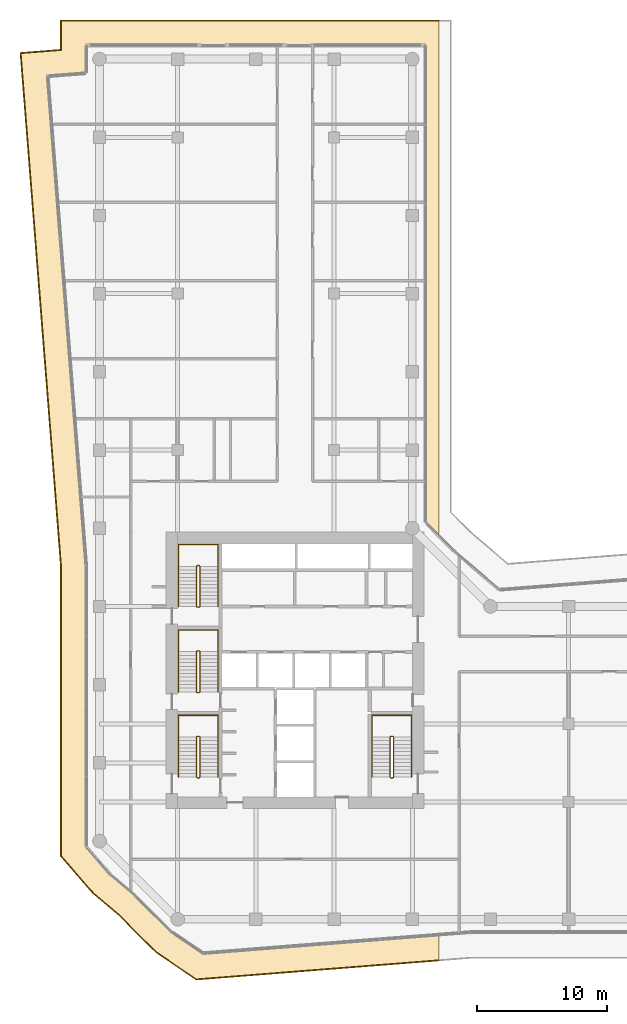
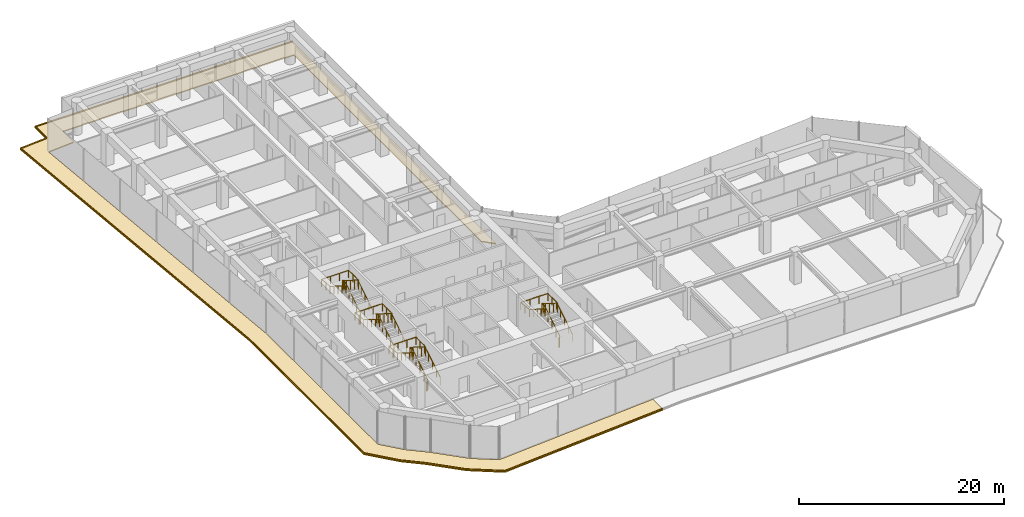
# One storey, part 27 of 28: 8 railings, 2 coverings.
"""IFC4 building model written with IfcOpenShell, lengths in metres."""

import ifcopenshell
import ifcopenshell.guid

model = None  # the IFC model being written
_history = None  # IfcOwnerHistory: only IFC2X3 demands one
_inside = {}  # id of a spatial element -> (the spatial element, [elements in it])
_under = {}  # id of a project, library or spatial element -> (it, [spatial elements below it])
_declared = {}  # id of a project -> (the project, [libraries it declares])
_typed = {}  # id of a type object -> (the type object, [elements of that type])
_made_of = {}  # id of a material, layer set ... -> (it, [elements and type objects made of it])


def new_model(schema):
    """Start an empty IFC model of exactly this schema.

    Asked for "IFC4X3", IfcOpenShell would pick the latest addendum, in which some entities
    have other attributes; the version numbers below select the first issue.
    IFC2X3 requires an IfcOwnerHistory on every rooted entity: one is made here for all.
    """
    global model, _history
    if schema == "IFC4X3":
        model = ifcopenshell.file(schema_version=(4, 3, 0, 0))
    else:
        model = ifcopenshell.file(schema=schema)
    _inside.clear()
    _under.clear()
    _declared.clear()
    _typed.clear()
    _made_of.clear()
    _history = None
    if model.schema == "IFC2X3":
        org = make("IfcOrganization", Name="unknown")
        user = make(
            "IfcPersonAndOrganization",
            ThePerson=make("IfcPerson", FamilyName="unknown"),
            TheOrganization=org,
        )
        app = make(
            "IfcApplication",
            ApplicationDeveloper=org,
            Version="unknown",
            ApplicationFullName="unknown",
            ApplicationIdentifier="unknown",
        )
        _history = make(
            "IfcOwnerHistory",
            OwningUser=user,
            OwningApplication=app,
            ChangeAction="ADDED",
            CreationDate=0,
        )
    return model


def make(cls, **values):
    """One entity of the class cls with the attributes given. An attribute that is None is left unset."""
    return model.create_entity(
        cls, **{name: value for name, value in values.items() if value is not None}
    )


def rooted(cls, **values):
    """An entity with a GlobalId (a new one), such as an element, a storey or a relation."""
    return make(cls, GlobalId=ifcopenshell.guid.new(), OwnerHistory=_history, **values)


def si_unit(unit_type, name, prefix=None):
    """IfcSIUnit, for example si_unit("LENGTHUNIT", "METRE", prefix="MILLI")."""
    return make("IfcSIUnit", UnitType=unit_type, Prefix=prefix, Name=name)


def assignment(units):
    """IfcUnitAssignment: the units of a project."""
    return None if units is None else make("IfcUnitAssignment", Units=units)


def point(xyz):
    """IfcCartesianPoint."""
    return None if xyz is None else make("IfcCartesianPoint", Coordinates=xyz)


def direction(xyz):
    """IfcDirection."""
    return None if xyz is None else make("IfcDirection", DirectionRatios=xyz)


def frame(location, z_axis=None, x_axis=None):
    """IfcAxis2Placement3D, a coordinate frame: its origin and axes. An axis left out is left unset."""
    return make(
        "IfcAxis2Placement3D",
        Location=point(location),
        Axis=direction(z_axis),
        RefDirection=direction(x_axis),
    )


def frame_2d(location, x_axis=None):
    """IfcAxis2Placement2D, a coordinate frame in the plane: its origin and x axis."""
    return make(
        "IfcAxis2Placement2D", Location=point(location), RefDirection=direction(x_axis)
    )


def origin():
    """The frame at (0, 0, 0) with its axes left unset."""
    return frame((0.0, 0.0, 0.0))


def origin_2d():
    """The frame at (0, 0) in the plane with its x axis left unset."""
    return frame_2d((0.0, 0.0))


def place(relative_to, where):
    """IfcLocalPlacement: puts the frame where relative to a parent placement (None: the world)."""
    return make(
        "IfcLocalPlacement", PlacementRelTo=relative_to, RelativePlacement=where
    )


def context(
    kind, dimensions, precision=None, world=None, true_north=None, identifier=None
):
    """IfcGeometricRepresentationContext, for example the 3D "Model" context."""
    return make(
        "IfcGeometricRepresentationContext",
        ContextIdentifier=identifier,
        ContextType=kind,
        CoordinateSpaceDimension=dimensions,
        Precision=precision,
        WorldCoordinateSystem=world,
        TrueNorth=true_north,
    )


def subcontext(parent, identifier, kind, view, scale=None):
    """IfcGeometricRepresentationSubContext, for example "Body" below "Model"."""
    return make(
        "IfcGeometricRepresentationSubContext",
        ContextIdentifier=identifier,
        ContextType=kind,
        ParentContext=parent,
        TargetScale=scale,
        TargetView=view,
    )


def project(units=None, contexts=None):
    """IfcProject with its units and contexts."""
    return rooted(
        "IfcProject",
        Name="project",
        RepresentationContexts=contexts,
        UnitsInContext=assignment(units),
    )


def spatial(cls, under=None, at=None, **own):
    """A site, building, storey or space (cls), placed at a placement, below another one or the project."""
    s = rooted(cls, ObjectPlacement=at, **own)
    if under is not None:
        _under.setdefault(under.id(), (under, []))[1].append(s)
    return s


def polyline(points):
    """IfcPolyline through the points."""
    return make("IfcPolyline", Points=[point(p) for p in points])


def profile(cls, at=None, kind="AREA", **sizes):
    """A parametric profile (cls). Its sizes go by their IFC names, for example OverallWidth=200.0."""
    return make(cls, ProfileType=kind, Position=at, **sizes)


def circle(**sizes):
    """IfcCircleProfileDef."""
    return profile("IfcCircleProfileDef", **sizes)


def outline(outer, holes=None, kind="AREA"):
    """IfcArbitraryClosedProfileDef: a profile drawn as a closed curve; with holes, ...WithVoids."""
    if holes is None:
        return make("IfcArbitraryClosedProfileDef", ProfileType=kind, OuterCurve=outer)
    return make(
        "IfcArbitraryProfileDefWithVoids",
        ProfileType=kind,
        OuterCurve=outer,
        InnerCurves=holes,
    )


def extrude(swept, where, along, depth):
    """IfcExtrudedAreaSolid: the profile swept, set in the frame where, extruded along a direction by depth."""
    return make(
        "IfcExtrudedAreaSolid",
        SweptArea=swept,
        Position=where,
        ExtrudedDirection=direction(along),
        Depth=depth,
    )


def shape(context_of_items, identifier, shape_type, items):
    """IfcShapeRepresentation: the items that make up one representation, for example the "Body"."""
    return make(
        "IfcShapeRepresentation",
        ContextOfItems=context_of_items,
        RepresentationIdentifier=identifier,
        RepresentationType=shape_type,
        Items=items,
    )


def material(Name=None, Category=None):
    """IfcMaterial."""
    return make("IfcMaterial", Name=Name, Category=Category)


def layer(
    of_material, thickness, ventilated=None, Name=None, Category=None, Priority=None
):
    """IfcMaterialLayer: one layer of a wall or slab, of a material (None: an air gap)."""
    return make(
        "IfcMaterialLayer",
        Material=of_material,
        LayerThickness=thickness,
        IsVentilated=ventilated,
        Name=Name,
        Category=Category,
        Priority=Priority,
    )


def layer_set(layers, Name=None):
    """IfcMaterialLayerSet."""
    return make("IfcMaterialLayerSet", MaterialLayers=layers, LayerSetName=Name)


def made_of(thing, what):
    """Note that an element or type object is made of a material, layer set ...; save() writes the relation."""
    if what is not None:
        _made_of.setdefault(what.id(), (what, []))[1].append(thing)
    return thing


def type_object(cls, material=None, **own):
    """A type object (cls), such as IfcWallType, which elements share."""
    return made_of(rooted(cls, **own), material)


def element(
    cls,
    number,
    at=None,
    inside=None,
    cuts=None,
    type_object=None,
    material=None,
    context=None,
    identifier="Body",
    shape_type=None,
    held_by="IfcProductDefinitionShape",
    body=None,
    shapes=None,
    **own,
):
    """One element of the class cls, such as IfcWall. Its Tag is "e" and its number.

    at: its placement. inside: the storey or other place that contains it. cuts: it is an
    opening in that element (IfcRelVoidsElement). A single representation is given by context,
    identifier, shape_type and body (its items); several are given by shapes. held_by: the class
    of the entity that holds the representations. save() writes the other relations.
    """
    e = rooted(cls, Tag="e%d" % number, ObjectPlacement=at, **own)
    if body is not None:
        shapes = [shape(context, identifier, shape_type, body)]
    if shapes is not None:
        e.Representation = make(held_by, Representations=shapes)
    if inside is not None:
        _inside.setdefault(inside.id(), (inside, []))[1].append(e)
    if cuts is not None:
        rooted(
            "IfcRelVoidsElement", RelatingBuildingElement=cuts, RelatedOpeningElement=e
        )
    if type_object is not None:
        _typed.setdefault(type_object.id(), (type_object, []))[1].append(e)
    return made_of(e, material)


def aggregate(whole, parts):
    """IfcRelAggregates: a whole, such as a stair, and the parts it consists of."""
    return rooted("IfcRelAggregates", RelatingObject=whole, RelatedObjects=parts)


def save(model, path):
    """Write the relations noted so far, then the file.

    IfcRelAggregates (storeys below a building ...), IfcRelContainedInSpatialStructure (elements
    in a storey), IfcRelDefinesByType, IfcRelAssociatesMaterial and IfcRelDeclares: one each for
    every whole, place, type object, material and project.
    """
    for whole, parts in _under.values():
        aggregate(whole, parts)
    for where, things in _inside.values():
        rooted(
            "IfcRelContainedInSpatialStructure",
            RelatedElements=things,
            RelatingStructure=where,
        )
    for kind, things in _typed.values():
        rooted("IfcRelDefinesByType", RelatedObjects=things, RelatingType=kind)
    for what, things in _made_of.values():
        rooted("IfcRelAssociatesMaterial", RelatedObjects=things, RelatingMaterial=what)
    for by, libraries in _declared.values():
        rooted("IfcRelDeclares", RelatingContext=by, RelatedDefinitions=libraries)
    model.write(path)


model = new_model("IFC4")

# Units and contexts
model_context = context("Model", 3, precision=1e-05, world=origin(), true_north=direction((0.0, 1.0)))
body_context = subcontext(model_context, "Body", "Model", "MODEL_VIEW")
ifc_project = project(units=[si_unit("LENGTHUNIT", "METRE"), si_unit("AREAUNIT", "SQUARE_METRE"), si_unit("VOLUMEUNIT", "CUBIC_METRE"), si_unit("PLANEANGLEUNIT", "RADIAN"), si_unit("MASSUNIT", "GRAM", prefix="KILO")], contexts=[model_context])

# Site, building, storey
site_placement = place(None, origin())
site = spatial("IfcSite", under=ifc_project, at=site_placement, CompositionType="ELEMENT")
building_placement = place(site_placement, origin())
building = spatial("IfcBuilding", under=site, at=building_placement, Name="Welwitschia Terrace Campus", CompositionType="ELEMENT")
storey_placement = place(building_placement, frame((0.0, 0.0, 71.0)))
storey = spatial("IfcBuildingStorey", under=building, at=storey_placement, Name="L16", CompositionType="ELEMENT", Elevation=71.0)

# Railings
ifc_material_1 = material(Name="Steel S355", Category="steel")
railing_type_1 = type_object("IfcRailingType", Name="Stair guard 1100", PredefinedType="GUARDRAIL", material=ifc_material_1)
railing_1_placement = place(storey_placement, frame((7.5, 6.85009765625, 0.0)))
element("IfcRailing", 1, at=railing_1_placement, inside=storey, type_object=railing_type_1, Name="L16 S1 stair guard", PredefinedType="GUARDRAIL", context=body_context, shape_type="SweptSolid", body=[
    extrude(circle(Radius=0.02392578125, at=origin_2d()), frame((0.0, 0.0, 1.076171875), z_axis=(1.0, 0.0, 0.0), x_axis=(0.0, 1.0, 0.0)), (0.0, 0.0, 1.0), 0.14990234375),
    extrude(circle(Radius=0.02392578125, at=origin_2d()), frame((0.14990234375, 0.0, 1.076171875), z_axis=(0.265155923931, 0.263862480399, 0.927399011991), x_axis=(-0.705375805398, 0.708833529934, 0.0)), (0.0, 0.0, 1.0), 0.188720703125),
    extrude(circle(Radius=0.02392578125, at=origin_2d()), frame((0.199951171875, 0.0498046875, 1.2509765625), z_axis=(0.0, 0.847998304005, 0.529998940003), x_axis=(-1.0, 0.0, 0.0)), (0.0, 0.0, 1.0), 3.632080078125),
    extrude(circle(Radius=0.02392578125, at=origin_2d()), frame((0.199951171875, 3.1298828125, 3.17626953125), z_axis=(-0.707106781187, 0.707106781187, 0.0), x_axis=(-0.707106781187, -0.707106781187, 0.0)), (0.0, 0.0, 1.0), 0.07080078125),
    extrude(circle(Radius=0.02392578125, at=origin_2d()), frame((0.14990234375, 3.179931640625, 3.17626953125), z_axis=(-1.0, 0.0, 0.0), x_axis=(0.0, -1.0, 0.0)), (0.0, 0.0, 1.0), 0.14990234375),
    extrude(circle(Radius=0.02392578125, at=origin_2d()), frame((0.0, 3.179931640625, 3.17626953125), z_axis=(-0.265383341853, -0.265383341853, 0.926899867156), x_axis=(0.707106781187, -0.707106781187, 0.0)), (0.0, 0.0, 1.0), 0.1884765625),
    extrude(circle(Radius=0.02392578125, at=origin_2d()), frame((-0.050048828125, 3.1298828125, 3.35107421875), z_axis=(0.0, -0.847998304005, 0.529998940003), x_axis=(1.0, 0.0, 0.0)), (0.0, 0.0, 1.0), 3.632080078125),
    extrude(circle(Radius=0.02099609375, at=origin_2d()), origin(), (0.0, 0.0, 1.0), 1.052001953125),
    extrude(circle(Radius=0.02099609375, at=origin_2d()), frame((0.14990234375, 0.0, 0.0)), (0.0, 0.0, 1.0), 1.052001953125),
    extrude(circle(Radius=0.02099609375, at=origin_2d()), frame((0.199951171875, 0.0498046875, 0.175048828125)), (0.0, 0.0, 1.0), 1.052001953125),
    extrude(circle(Radius=0.02099609375, at=origin_2d()), frame((0.199951171875, 0.81982421875, 0.65625)), (0.0, 0.0, 1.0), 1.052001953125),
    extrude(circle(Radius=0.02099609375, at=origin_2d()), frame((0.199951171875, 1.58984375, 1.1376953125)), (0.0, 0.0, 1.0), 1.052001953125),
    extrude(circle(Radius=0.02099609375, at=origin_2d()), frame((0.199951171875, 2.35986328125, 1.618896484375)), (0.0, 0.0, 1.0), 1.052001953125),
    extrude(circle(Radius=0.02099609375, at=origin_2d()), frame((0.199951171875, 3.1298828125, 2.10009765625)), (0.0, 0.0, 1.0), 1.052001953125),
    extrude(circle(Radius=0.02099609375, at=origin_2d()), frame((0.14990234375, 3.179931640625, 2.10009765625)), (0.0, 0.0, 1.0), 1.052001953125),
    extrude(circle(Radius=0.02099609375, at=origin_2d()), frame((0.0, 3.179931640625, 2.10009765625)), (0.0, 0.0, 1.0), 1.052001953125),
    extrude(circle(Radius=0.02099609375, at=origin_2d()), frame((-0.050048828125, 3.1298828125, 2.27490234375)), (0.0, 0.0, 1.0), 1.052001953125),
    extrude(circle(Radius=0.02099609375, at=origin_2d()), frame((-0.050048828125, 2.35986328125, 2.756103515625)), (0.0, 0.0, 1.0), 1.052001953125),
    extrude(circle(Radius=0.02099609375, at=origin_2d()), frame((-0.050048828125, 1.58984375, 3.2373046875)), (0.0, 0.0, 1.0), 1.052001953125),
    extrude(circle(Radius=0.02099609375, at=origin_2d()), frame((-0.050048828125, 0.81982421875, 3.71875)), (0.0, 0.0, 1.0), 1.052001953125),
    extrude(circle(Radius=0.02099609375, at=origin_2d()), frame((-0.050048828125, 0.0498046875, 4.199951171875)), (0.0, 0.0, 1.0), 1.052001953125),
])
railing_2_placement = place(storey_placement, frame((7.5, 13.39990234375, 0.0)))
element("IfcRailing", 2, at=railing_2_placement, inside=storey, type_object=railing_type_1, Name="L16 S3 stair guard", PredefinedType="GUARDRAIL", context=body_context, shape_type="SweptSolid", body=[
    extrude(circle(Radius=0.02392578125, at=origin_2d()), frame((0.0, 0.0, 1.076171875), z_axis=(1.0, 0.0, 0.0), x_axis=(0.0, 1.0, 0.0)), (0.0, 0.0, 1.0), 0.14990234375),
    extrude(circle(Radius=0.02392578125, at=origin_2d()), frame((0.14990234375, 0.0, 1.076171875), z_axis=(0.265065253269, 0.265065253269, 0.927081885822), x_axis=(-0.707106781187, 0.707106781187, 0.0)), (0.0, 0.0, 1.0), 0.188720703125),
    extrude(circle(Radius=0.02392578125, at=origin_2d()), frame((0.199951171875, 0.050048828125, 1.2509765625), z_axis=(0.0, 0.847998304005, 0.529998940003), x_axis=(-1.0, 0.0, 0.0)), (0.0, 0.0, 1.0), 3.632080078125),
    extrude(circle(Radius=0.02392578125, at=origin_2d()), frame((0.199951171875, 3.130126953125, 3.17626953125), z_axis=(-0.707106781187, 0.707106781187, 0.0), x_axis=(-0.707106781187, -0.707106781187, 0.0)), (0.0, 0.0, 1.0), 0.07080078125),
    extrude(circle(Radius=0.02392578125, at=origin_2d()), frame((0.14990234375, 3.18017578125, 3.17626953125), z_axis=(-1.0, 0.0, 0.0), x_axis=(0.0, -1.0, 0.0)), (0.0, 0.0, 1.0), 0.14990234375),
    extrude(circle(Radius=0.02392578125, at=origin_2d()), frame((0.0, 3.18017578125, 3.17626953125), z_axis=(-0.265383341853, -0.265383341853, 0.926899867156), x_axis=(0.707106781187, -0.707106781187, 0.0)), (0.0, 0.0, 1.0), 0.1884765625),
    extrude(circle(Radius=0.02392578125, at=origin_2d()), frame((-0.050048828125, 3.130126953125, 3.35107421875), z_axis=(0.0, -0.847998304005, 0.529998940003), x_axis=(1.0, 0.0, 0.0)), (0.0, 0.0, 1.0), 3.632080078125),
    extrude(circle(Radius=0.02099609375, at=origin_2d()), origin(), (0.0, 0.0, 1.0), 1.052001953125),
    extrude(circle(Radius=0.02099609375, at=origin_2d()), frame((0.14990234375, 0.0, 0.0)), (0.0, 0.0, 1.0), 1.052001953125),
    extrude(circle(Radius=0.02099609375, at=origin_2d()), frame((0.199951171875, 0.050048828125, 0.175048828125)), (0.0, 0.0, 1.0), 1.052001953125),
    extrude(circle(Radius=0.02099609375, at=origin_2d()), frame((0.199951171875, 0.820068359375, 0.65625)), (0.0, 0.0, 1.0), 1.052001953125),
    extrude(circle(Radius=0.02099609375, at=origin_2d()), frame((0.199951171875, 1.590087890625, 1.1376953125)), (0.0, 0.0, 1.0), 1.052001953125),
    extrude(circle(Radius=0.02099609375, at=origin_2d()), frame((0.199951171875, 2.360107421875, 1.618896484375)), (0.0, 0.0, 1.0), 1.052001953125),
    extrude(circle(Radius=0.02099609375, at=origin_2d()), frame((0.199951171875, 3.130126953125, 2.10009765625)), (0.0, 0.0, 1.0), 1.052001953125),
    extrude(circle(Radius=0.02099609375, at=origin_2d()), frame((0.14990234375, 3.18017578125, 2.10009765625)), (0.0, 0.0, 1.0), 1.052001953125),
    extrude(circle(Radius=0.02099609375, at=origin_2d()), frame((0.0, 3.18017578125, 2.10009765625)), (0.0, 0.0, 1.0), 1.052001953125),
    extrude(circle(Radius=0.02099609375, at=origin_2d()), frame((-0.050048828125, 3.130126953125, 2.27490234375)), (0.0, 0.0, 1.0), 1.052001953125),
    extrude(circle(Radius=0.02099609375, at=origin_2d()), frame((-0.050048828125, 2.360107421875, 2.756103515625)), (0.0, 0.0, 1.0), 1.052001953125),
    extrude(circle(Radius=0.02099609375, at=origin_2d()), frame((-0.050048828125, 1.590087890625, 3.2373046875)), (0.0, 0.0, 1.0), 1.052001953125),
    extrude(circle(Radius=0.02099609375, at=origin_2d()), frame((-0.050048828125, 0.820068359375, 3.71875)), (0.0, 0.0, 1.0), 1.052001953125),
    extrude(circle(Radius=0.02099609375, at=origin_2d()), frame((-0.050048828125, 0.050048828125, 4.199951171875)), (0.0, 0.0, 1.0), 1.052001953125),
])
railing_3_placement = place(storey_placement, frame((7.5, 19.949951171875, 0.0)))
element("IfcRailing", 3, at=railing_3_placement, inside=storey, type_object=railing_type_1, Name="L16 S4 stair guard", PredefinedType="GUARDRAIL", context=body_context, shape_type="SweptSolid", body=[
    extrude(circle(Radius=0.02392578125, at=origin_2d()), frame((0.0, 0.0, 1.076171875), z_axis=(1.0, 0.0, 0.0), x_axis=(0.0, 1.0, 0.0)), (0.0, 0.0, 1.0), 0.14990234375),
    extrude(circle(Radius=0.02392578125, at=origin_2d()), frame((0.14990234375, 0.0, 1.076171875), z_axis=(0.265065253269, 0.265065253269, 0.927081885822), x_axis=(-0.707106781187, 0.707106781187, 0.0)), (0.0, 0.0, 1.0), 0.188720703125),
    extrude(circle(Radius=0.02392578125, at=origin_2d()), frame((0.199951171875, 0.050048828125, 1.2509765625), z_axis=(0.0, 0.847998304005, 0.529998940003), x_axis=(-1.0, 0.0, 0.0)), (0.0, 0.0, 1.0), 3.632080078125),
    extrude(circle(Radius=0.02392578125, at=origin_2d()), frame((0.199951171875, 3.130126953125, 3.17626953125), z_axis=(-0.708833529934, 0.705375805398, 0.0), x_axis=(-0.705375805398, -0.708833529934, 0.0)), (0.0, 0.0, 1.0), 0.070556640625),
    extrude(circle(Radius=0.02392578125, at=origin_2d()), frame((0.14990234375, 3.179931640625, 3.17626953125), z_axis=(-1.0, 0.0, 0.0), x_axis=(0.0, -1.0, 0.0)), (0.0, 0.0, 1.0), 0.14990234375),
    extrude(circle(Radius=0.02392578125, at=origin_2d()), frame((0.0, 3.179931640625, 3.17626953125), z_axis=(-0.265474339444, -0.264179342666, 0.927217692888), x_axis=(0.705375805398, -0.708833529934, 0.0)), (0.0, 0.0, 1.0), 0.1884765625),
    extrude(circle(Radius=0.02392578125, at=origin_2d()), frame((-0.050048828125, 3.130126953125, 3.35107421875), z_axis=(0.0, -0.847998304005, 0.529998940003), x_axis=(1.0, 0.0, 0.0)), (0.0, 0.0, 1.0), 3.632080078125),
    extrude(circle(Radius=0.02099609375, at=origin_2d()), origin(), (0.0, 0.0, 1.0), 1.052001953125),
    extrude(circle(Radius=0.02099609375, at=origin_2d()), frame((0.14990234375, 0.0, 0.0)), (0.0, 0.0, 1.0), 1.052001953125),
    extrude(circle(Radius=0.02099609375, at=origin_2d()), frame((0.199951171875, 0.050048828125, 0.175048828125)), (0.0, 0.0, 1.0), 1.052001953125),
    extrude(circle(Radius=0.02099609375, at=origin_2d()), frame((0.199951171875, 0.820068359375, 0.65625)), (0.0, 0.0, 1.0), 1.052001953125),
    extrude(circle(Radius=0.02099609375, at=origin_2d()), frame((0.199951171875, 1.590087890625, 1.1376953125)), (0.0, 0.0, 1.0), 1.052001953125),
    extrude(circle(Radius=0.02099609375, at=origin_2d()), frame((0.199951171875, 2.360107421875, 1.618896484375)), (0.0, 0.0, 1.0), 1.052001953125),
    extrude(circle(Radius=0.02099609375, at=origin_2d()), frame((0.199951171875, 3.130126953125, 2.10009765625)), (0.0, 0.0, 1.0), 1.052001953125),
    extrude(circle(Radius=0.02099609375, at=origin_2d()), frame((0.14990234375, 3.179931640625, 2.10009765625)), (0.0, 0.0, 1.0), 1.052001953125),
    extrude(circle(Radius=0.02099609375, at=origin_2d()), frame((0.0, 3.179931640625, 2.10009765625)), (0.0, 0.0, 1.0), 1.052001953125),
    extrude(circle(Radius=0.02099609375, at=origin_2d()), frame((-0.050048828125, 3.130126953125, 2.27490234375)), (0.0, 0.0, 1.0), 1.052001953125),
    extrude(circle(Radius=0.02099609375, at=origin_2d()), frame((-0.050048828125, 2.360107421875, 2.756103515625)), (0.0, 0.0, 1.0), 1.052001953125),
    extrude(circle(Radius=0.02099609375, at=origin_2d()), frame((-0.050048828125, 1.590087890625, 3.2373046875)), (0.0, 0.0, 1.0), 1.052001953125),
    extrude(circle(Radius=0.02099609375, at=origin_2d()), frame((-0.050048828125, 0.820068359375, 3.71875)), (0.0, 0.0, 1.0), 1.052001953125),
    extrude(circle(Radius=0.02099609375, at=origin_2d()), frame((-0.050048828125, 0.050048828125, 4.199951171875)), (0.0, 0.0, 1.0), 1.052001953125),
])
railing_4_placement = place(storey_placement, frame((22.35009765625, 6.85009765625, 0.0)))
element("IfcRailing", 4, at=railing_4_placement, inside=storey, type_object=railing_type_1, Name="L16 S2 stair guard", PredefinedType="GUARDRAIL", context=body_context, shape_type="SweptSolid", body=[
    extrude(circle(Radius=0.02392578125, at=origin_2d()), frame((0.0, 0.0, 1.076171875), z_axis=(1.0, 0.0, 0.0), x_axis=(0.0, 1.0, 0.0)), (0.0, 0.0, 1.0), 0.14990234375),
    extrude(circle(Radius=0.02392578125, at=origin_2d()), frame((0.14990234375, 0.0, 1.076171875), z_axis=(0.265155923931, 0.263862480399, 0.927399011991), x_axis=(-0.705375805398, 0.708833529934, 0.0)), (0.0, 0.0, 1.0), 0.188720703125),
    extrude(circle(Radius=0.02392578125, at=origin_2d()), frame((0.199951171875, 0.0498046875, 1.2509765625), z_axis=(0.0, 0.847998304005, 0.529998940003), x_axis=(-1.0, 0.0, 0.0)), (0.0, 0.0, 1.0), 3.632080078125),
    extrude(circle(Radius=0.02392578125, at=origin_2d()), frame((0.199951171875, 3.1298828125, 3.17626953125), z_axis=(-0.707106781187, 0.707106781187, 0.0), x_axis=(-0.707106781187, -0.707106781187, 0.0)), (0.0, 0.0, 1.0), 0.07080078125),
    extrude(circle(Radius=0.02392578125, at=origin_2d()), frame((0.14990234375, 3.179931640625, 3.17626953125), z_axis=(-1.0, 0.0, 0.0), x_axis=(0.0, -1.0, 0.0)), (0.0, 0.0, 1.0), 0.14990234375),
    extrude(circle(Radius=0.02392578125, at=origin_2d()), frame((0.0, 3.179931640625, 3.17626953125), z_axis=(-0.265383341853, -0.265383341853, 0.926899867156), x_axis=(0.707106781187, -0.707106781187, 0.0)), (0.0, 0.0, 1.0), 0.1884765625),
    extrude(circle(Radius=0.02392578125, at=origin_2d()), frame((-0.050048828125, 3.1298828125, 3.35107421875), z_axis=(0.0, -0.847998304005, 0.529998940003), x_axis=(1.0, 0.0, 0.0)), (0.0, 0.0, 1.0), 3.632080078125),
    extrude(circle(Radius=0.02099609375, at=origin_2d()), origin(), (0.0, 0.0, 1.0), 1.052001953125),
    extrude(circle(Radius=0.02099609375, at=origin_2d()), frame((0.14990234375, 0.0, 0.0)), (0.0, 0.0, 1.0), 1.052001953125),
    extrude(circle(Radius=0.02099609375, at=origin_2d()), frame((0.199951171875, 0.0498046875, 0.175048828125)), (0.0, 0.0, 1.0), 1.052001953125),
    extrude(circle(Radius=0.02099609375, at=origin_2d()), frame((0.199951171875, 0.81982421875, 0.65625)), (0.0, 0.0, 1.0), 1.052001953125),
    extrude(circle(Radius=0.02099609375, at=origin_2d()), frame((0.199951171875, 1.58984375, 1.1376953125)), (0.0, 0.0, 1.0), 1.052001953125),
    extrude(circle(Radius=0.02099609375, at=origin_2d()), frame((0.199951171875, 2.35986328125, 1.618896484375)), (0.0, 0.0, 1.0), 1.052001953125),
    extrude(circle(Radius=0.02099609375, at=origin_2d()), frame((0.199951171875, 3.1298828125, 2.10009765625)), (0.0, 0.0, 1.0), 1.052001953125),
    extrude(circle(Radius=0.02099609375, at=origin_2d()), frame((0.14990234375, 3.179931640625, 2.10009765625)), (0.0, 0.0, 1.0), 1.052001953125),
    extrude(circle(Radius=0.02099609375, at=origin_2d()), frame((0.0, 3.179931640625, 2.10009765625)), (0.0, 0.0, 1.0), 1.052001953125),
    extrude(circle(Radius=0.02099609375, at=origin_2d()), frame((-0.050048828125, 3.1298828125, 2.27490234375)), (0.0, 0.0, 1.0), 1.052001953125),
    extrude(circle(Radius=0.02099609375, at=origin_2d()), frame((-0.050048828125, 2.35986328125, 2.756103515625)), (0.0, 0.0, 1.0), 1.052001953125),
    extrude(circle(Radius=0.02099609375, at=origin_2d()), frame((-0.050048828125, 1.58984375, 3.2373046875)), (0.0, 0.0, 1.0), 1.052001953125),
    extrude(circle(Radius=0.02099609375, at=origin_2d()), frame((-0.050048828125, 0.81982421875, 3.71875)), (0.0, 0.0, 1.0), 1.052001953125),
    extrude(circle(Radius=0.02099609375, at=origin_2d()), frame((-0.050048828125, 0.0498046875, 4.199951171875)), (0.0, 0.0, 1.0), 1.052001953125),
])
ifc_material_2 = material(Name="Steel S355", Category="steel")
railing_type_2 = type_object("IfcRailingType", Name="Stair handrail 900", PredefinedType="HANDRAIL", material=ifc_material_2)
railing_5_placement = place(storey_placement, frame((9.10009765625, 6.89990234375, 0.175048828125)))
element("IfcRailing", 5, at=railing_5_placement, inside=storey, type_object=railing_type_2, Name="L16 S1 stair handrail", PredefinedType="HANDRAIL", context=body_context, shape_type="SweptSolid", body=[
    extrude(circle(Radius=0.02392578125, at=origin_2d()), frame((0.0, 0.0, 0.8759765625), z_axis=(0.0, 0.847998304005, 0.529998940003), x_axis=(-1.0, 0.0, 0.0)), (0.0, 0.0, 1.0), 3.632080078125),
    extrude(circle(Radius=0.02392578125, at=origin_2d()), frame((0.0, 3.080078125, 2.80078125), z_axis=(0.0, 1.0, 0.0), x_axis=(-1.0, 0.0, 0.0)), (0.0, 0.0, 1.0), 1.669921875),
    extrude(circle(Radius=0.02392578125, at=origin_2d()), frame((0.0, 4.75, 2.80078125), z_axis=(-1.0, 0.0, 0.0), x_axis=(0.0, -1.0, 0.0)), (0.0, 0.0, 1.0), 3.050048828125),
    extrude(circle(Radius=0.02392578125, at=origin_2d()), frame((-3.050048828125, 4.75, 2.80078125), z_axis=(0.0, -0.994565838508, 0.104109523446), x_axis=(1.0, 0.0, 0.0)), (0.0, 0.0, 1.0), 1.678955078125),
    extrude(circle(Radius=0.02392578125, at=origin_2d()), frame((-3.050048828125, 3.080078125, 2.9755859375), z_axis=(0.0, -0.847998304005, 0.529998940003), x_axis=(1.0, 0.0, 0.0)), (0.0, 0.0, 1.0), 3.632080078125),
    extrude(circle(Radius=0.02099609375, at=origin_2d()), origin(), (0.0, 0.0, 1.0), 0.851806640625),
    extrude(circle(Radius=0.02099609375, at=origin_2d()), frame((0.0, 0.77001953125, 0.481201171875)), (0.0, 0.0, 1.0), 0.851806640625),
    extrude(circle(Radius=0.02099609375, at=origin_2d()), frame((0.0, 1.5400390625, 0.96240234375)), (0.0, 0.0, 1.0), 0.851806640625),
    extrude(circle(Radius=0.02099609375, at=origin_2d()), frame((0.0, 2.31005859375, 1.44384765625)), (0.0, 0.0, 1.0), 0.851806640625),
    extrude(circle(Radius=0.02099609375, at=origin_2d()), frame((0.0, 3.080078125, 1.925048828125)), (0.0, 0.0, 1.0), 0.851806640625),
    extrude(circle(Radius=0.02099609375, at=origin_2d()), frame((0.0, 3.9150390625, 1.925048828125)), (0.0, 0.0, 1.0), 0.851806640625),
    extrude(circle(Radius=0.02099609375, at=origin_2d()), frame((0.0, 4.75, 1.925048828125)), (0.0, 0.0, 1.0), 0.851806640625),
    extrude(circle(Radius=0.02099609375, at=origin_2d()), frame((-1.0166015625, 4.75, 1.925048828125)), (0.0, 0.0, 1.0), 0.851806640625),
    extrude(circle(Radius=0.02099609375, at=origin_2d()), frame((-2.033447265625, 4.75, 1.925048828125)), (0.0, 0.0, 1.0), 0.851806640625),
    extrude(circle(Radius=0.02099609375, at=origin_2d()), frame((-3.050048828125, 4.75, 1.925048828125)), (0.0, 0.0, 1.0), 0.851806640625),
    extrude(circle(Radius=0.02099609375, at=origin_2d()), frame((-3.050048828125, 3.9150390625, 2.012451171875)), (0.0, 0.0, 1.0), 0.851806640625),
    extrude(circle(Radius=0.02099609375, at=origin_2d()), frame((-3.050048828125, 3.080078125, 2.099853515625)), (0.0, 0.0, 1.0), 0.851806640625),
    extrude(circle(Radius=0.02099609375, at=origin_2d()), frame((-3.050048828125, 2.31005859375, 2.5810546875)), (0.0, 0.0, 1.0), 0.851806640625),
    extrude(circle(Radius=0.02099609375, at=origin_2d()), frame((-3.050048828125, 1.5400390625, 3.0625)), (0.0, 0.0, 1.0), 0.851806640625),
    extrude(circle(Radius=0.02099609375, at=origin_2d()), frame((-3.050048828125, 0.77001953125, 3.543701171875)), (0.0, 0.0, 1.0), 0.851806640625),
    extrude(circle(Radius=0.02099609375, at=origin_2d()), frame((-3.050048828125, 0.0, 4.02490234375)), (0.0, 0.0, 1.0), 0.851806640625),
])
railing_6_placement = place(storey_placement, frame((9.10009765625, 13.449951171875, 0.175048828125)))
element("IfcRailing", 6, at=railing_6_placement, inside=storey, type_object=railing_type_2, Name="L16 S3 stair handrail", PredefinedType="HANDRAIL", context=body_context, shape_type="SweptSolid", body=[
    extrude(circle(Radius=0.02392578125, at=origin_2d()), frame((0.0, 0.0, 0.8759765625), z_axis=(0.0, 0.847998304005, 0.529998940003), x_axis=(-1.0, 0.0, 0.0)), (0.0, 0.0, 1.0), 3.632080078125),
    extrude(circle(Radius=0.02392578125, at=origin_2d()), frame((0.0, 3.080078125, 2.80078125), z_axis=(0.0, 1.0, 0.0), x_axis=(-1.0, 0.0, 0.0)), (0.0, 0.0, 1.0), 1.669921875),
    extrude(circle(Radius=0.02392578125, at=origin_2d()), frame((0.0, 4.75, 2.80078125), z_axis=(-1.0, 0.0, 0.0), x_axis=(0.0, -1.0, 0.0)), (0.0, 0.0, 1.0), 3.050048828125),
    extrude(circle(Radius=0.02392578125, at=origin_2d()), frame((-3.050048828125, 4.75, 2.80078125), z_axis=(0.0, -0.994565838508, 0.104109523446), x_axis=(1.0, 0.0, 0.0)), (0.0, 0.0, 1.0), 1.678955078125),
    extrude(circle(Radius=0.02392578125, at=origin_2d()), frame((-3.050048828125, 3.080078125, 2.9755859375), z_axis=(0.0, -0.847998304005, 0.529998940003), x_axis=(1.0, 0.0, 0.0)), (0.0, 0.0, 1.0), 3.632080078125),
    extrude(circle(Radius=0.02099609375, at=origin_2d()), origin(), (0.0, 0.0, 1.0), 0.851806640625),
    extrude(circle(Radius=0.02099609375, at=origin_2d()), frame((0.0, 0.77001953125, 0.481201171875)), (0.0, 0.0, 1.0), 0.851806640625),
    extrude(circle(Radius=0.02099609375, at=origin_2d()), frame((0.0, 1.5400390625, 0.96240234375)), (0.0, 0.0, 1.0), 0.851806640625),
    extrude(circle(Radius=0.02099609375, at=origin_2d()), frame((0.0, 2.31005859375, 1.44384765625)), (0.0, 0.0, 1.0), 0.851806640625),
    extrude(circle(Radius=0.02099609375, at=origin_2d()), frame((0.0, 3.080078125, 1.925048828125)), (0.0, 0.0, 1.0), 0.851806640625),
    extrude(circle(Radius=0.02099609375, at=origin_2d()), frame((0.0, 3.9150390625, 1.925048828125)), (0.0, 0.0, 1.0), 0.851806640625),
    extrude(circle(Radius=0.02099609375, at=origin_2d()), frame((0.0, 4.75, 1.925048828125)), (0.0, 0.0, 1.0), 0.851806640625),
    extrude(circle(Radius=0.02099609375, at=origin_2d()), frame((-1.0166015625, 4.75, 1.925048828125)), (0.0, 0.0, 1.0), 0.851806640625),
    extrude(circle(Radius=0.02099609375, at=origin_2d()), frame((-2.033447265625, 4.75, 1.925048828125)), (0.0, 0.0, 1.0), 0.851806640625),
    extrude(circle(Radius=0.02099609375, at=origin_2d()), frame((-3.050048828125, 4.75, 1.925048828125)), (0.0, 0.0, 1.0), 0.851806640625),
    extrude(circle(Radius=0.02099609375, at=origin_2d()), frame((-3.050048828125, 3.9150390625, 2.012451171875)), (0.0, 0.0, 1.0), 0.851806640625),
    extrude(circle(Radius=0.02099609375, at=origin_2d()), frame((-3.050048828125, 3.080078125, 2.099853515625)), (0.0, 0.0, 1.0), 0.851806640625),
    extrude(circle(Radius=0.02099609375, at=origin_2d()), frame((-3.050048828125, 2.31005859375, 2.5810546875)), (0.0, 0.0, 1.0), 0.851806640625),
    extrude(circle(Radius=0.02099609375, at=origin_2d()), frame((-3.050048828125, 1.5400390625, 3.0625)), (0.0, 0.0, 1.0), 0.851806640625),
    extrude(circle(Radius=0.02099609375, at=origin_2d()), frame((-3.050048828125, 0.77001953125, 3.543701171875)), (0.0, 0.0, 1.0), 0.851806640625),
    extrude(circle(Radius=0.02099609375, at=origin_2d()), frame((-3.050048828125, 0.0, 4.02490234375)), (0.0, 0.0, 1.0), 0.851806640625),
])
railing_7_placement = place(storey_placement, frame((9.10009765625, 20.0, 0.175048828125)))
element("IfcRailing", 7, at=railing_7_placement, inside=storey, type_object=railing_type_2, Name="L16 S4 stair handrail", PredefinedType="HANDRAIL", context=body_context, shape_type="SweptSolid", body=[
    extrude(circle(Radius=0.02392578125, at=origin_2d()), frame((0.0, 0.0, 0.8759765625), z_axis=(0.0, 0.847998304005, 0.529998940003), x_axis=(-1.0, 0.0, 0.0)), (0.0, 0.0, 1.0), 3.632080078125),
    extrude(circle(Radius=0.02392578125, at=origin_2d()), frame((0.0, 3.080078125, 2.80078125), z_axis=(0.0, 1.0, 0.0), x_axis=(-1.0, 0.0, 0.0)), (0.0, 0.0, 1.0), 1.669921875),
    extrude(circle(Radius=0.02392578125, at=origin_2d()), frame((0.0, 4.75, 2.80078125), z_axis=(-1.0, 0.0, 0.0), x_axis=(0.0, -1.0, 0.0)), (0.0, 0.0, 1.0), 3.050048828125),
    extrude(circle(Radius=0.02392578125, at=origin_2d()), frame((-3.050048828125, 4.75, 2.80078125), z_axis=(0.0, -0.994565838508, 0.104109523446), x_axis=(1.0, 0.0, 0.0)), (0.0, 0.0, 1.0), 1.678955078125),
    extrude(circle(Radius=0.02392578125, at=origin_2d()), frame((-3.050048828125, 3.080078125, 2.9755859375), z_axis=(0.0, -0.847998304005, 0.529998940003), x_axis=(1.0, 0.0, 0.0)), (0.0, 0.0, 1.0), 3.632080078125),
    extrude(circle(Radius=0.02099609375, at=origin_2d()), origin(), (0.0, 0.0, 1.0), 0.851806640625),
    extrude(circle(Radius=0.02099609375, at=origin_2d()), frame((0.0, 0.77001953125, 0.481201171875)), (0.0, 0.0, 1.0), 0.851806640625),
    extrude(circle(Radius=0.02099609375, at=origin_2d()), frame((0.0, 1.5400390625, 0.96240234375)), (0.0, 0.0, 1.0), 0.851806640625),
    extrude(circle(Radius=0.02099609375, at=origin_2d()), frame((0.0, 2.31005859375, 1.44384765625)), (0.0, 0.0, 1.0), 0.851806640625),
    extrude(circle(Radius=0.02099609375, at=origin_2d()), frame((0.0, 3.080078125, 1.925048828125)), (0.0, 0.0, 1.0), 0.851806640625),
    extrude(circle(Radius=0.02099609375, at=origin_2d()), frame((0.0, 3.9150390625, 1.925048828125)), (0.0, 0.0, 1.0), 0.851806640625),
    extrude(circle(Radius=0.02099609375, at=origin_2d()), frame((0.0, 4.75, 1.925048828125)), (0.0, 0.0, 1.0), 0.851806640625),
    extrude(circle(Radius=0.02099609375, at=origin_2d()), frame((-1.0166015625, 4.75, 1.925048828125)), (0.0, 0.0, 1.0), 0.851806640625),
    extrude(circle(Radius=0.02099609375, at=origin_2d()), frame((-2.033447265625, 4.75, 1.925048828125)), (0.0, 0.0, 1.0), 0.851806640625),
    extrude(circle(Radius=0.02099609375, at=origin_2d()), frame((-3.050048828125, 4.75, 1.925048828125)), (0.0, 0.0, 1.0), 0.851806640625),
    extrude(circle(Radius=0.02099609375, at=origin_2d()), frame((-3.050048828125, 3.9150390625, 2.012451171875)), (0.0, 0.0, 1.0), 0.851806640625),
    extrude(circle(Radius=0.02099609375, at=origin_2d()), frame((-3.050048828125, 3.080078125, 2.099853515625)), (0.0, 0.0, 1.0), 0.851806640625),
    extrude(circle(Radius=0.02099609375, at=origin_2d()), frame((-3.050048828125, 2.31005859375, 2.5810546875)), (0.0, 0.0, 1.0), 0.851806640625),
    extrude(circle(Radius=0.02099609375, at=origin_2d()), frame((-3.050048828125, 1.5400390625, 3.0625)), (0.0, 0.0, 1.0), 0.851806640625),
    extrude(circle(Radius=0.02099609375, at=origin_2d()), frame((-3.050048828125, 0.77001953125, 3.543701171875)), (0.0, 0.0, 1.0), 0.851806640625),
    extrude(circle(Radius=0.02099609375, at=origin_2d()), frame((-3.050048828125, 0.0, 4.02490234375)), (0.0, 0.0, 1.0), 0.851806640625),
])
railing_8_placement = place(storey_placement, frame((23.949951171875, 6.89990234375, 0.175048828125)))
element("IfcRailing", 8, at=railing_8_placement, inside=storey, type_object=railing_type_2, Name="L16 S2 stair handrail", PredefinedType="HANDRAIL", context=body_context, shape_type="SweptSolid", body=[
    extrude(circle(Radius=0.02392578125, at=origin_2d()), frame((0.0, 0.0, 0.8759765625), z_axis=(0.0, 0.847998304005, 0.529998940003), x_axis=(-1.0, 0.0, 0.0)), (0.0, 0.0, 1.0), 3.632080078125),
    extrude(circle(Radius=0.02392578125, at=origin_2d()), frame((0.0, 3.080078125, 2.80078125), z_axis=(0.0, 1.0, 0.0), x_axis=(-1.0, 0.0, 0.0)), (0.0, 0.0, 1.0), 1.669921875),
    extrude(circle(Radius=0.02392578125, at=origin_2d()), frame((0.0, 4.75, 2.80078125), z_axis=(-1.0, 0.0, 0.0), x_axis=(0.0, -1.0, 0.0)), (0.0, 0.0, 1.0), 3.050048828125),
    extrude(circle(Radius=0.02392578125, at=origin_2d()), frame((-3.050048828125, 4.75, 2.80078125), z_axis=(0.0, -0.994565838508, 0.104109523446), x_axis=(1.0, 0.0, 0.0)), (0.0, 0.0, 1.0), 1.678955078125),
    extrude(circle(Radius=0.02392578125, at=origin_2d()), frame((-3.050048828125, 3.080078125, 2.9755859375), z_axis=(0.0, -0.847998304005, 0.529998940003), x_axis=(1.0, 0.0, 0.0)), (0.0, 0.0, 1.0), 3.632080078125),
    extrude(circle(Radius=0.02099609375, at=origin_2d()), origin(), (0.0, 0.0, 1.0), 0.851806640625),
    extrude(circle(Radius=0.02099609375, at=origin_2d()), frame((0.0, 0.77001953125, 0.481201171875)), (0.0, 0.0, 1.0), 0.851806640625),
    extrude(circle(Radius=0.02099609375, at=origin_2d()), frame((0.0, 1.5400390625, 0.96240234375)), (0.0, 0.0, 1.0), 0.851806640625),
    extrude(circle(Radius=0.02099609375, at=origin_2d()), frame((0.0, 2.31005859375, 1.44384765625)), (0.0, 0.0, 1.0), 0.851806640625),
    extrude(circle(Radius=0.02099609375, at=origin_2d()), frame((0.0, 3.080078125, 1.925048828125)), (0.0, 0.0, 1.0), 0.851806640625),
    extrude(circle(Radius=0.02099609375, at=origin_2d()), frame((0.0, 3.9150390625, 1.925048828125)), (0.0, 0.0, 1.0), 0.851806640625),
    extrude(circle(Radius=0.02099609375, at=origin_2d()), frame((0.0, 4.75, 1.925048828125)), (0.0, 0.0, 1.0), 0.851806640625),
    extrude(circle(Radius=0.02099609375, at=origin_2d()), frame((-1.0166015625, 4.75, 1.925048828125)), (0.0, 0.0, 1.0), 0.851806640625),
    extrude(circle(Radius=0.02099609375, at=origin_2d()), frame((-2.033447265625, 4.75, 1.925048828125)), (0.0, 0.0, 1.0), 0.851806640625),
    extrude(circle(Radius=0.02099609375, at=origin_2d()), frame((-3.050048828125, 4.75, 1.925048828125)), (0.0, 0.0, 1.0), 0.851806640625),
    extrude(circle(Radius=0.02099609375, at=origin_2d()), frame((-3.050048828125, 3.9150390625, 2.012451171875)), (0.0, 0.0, 1.0), 0.851806640625),
    extrude(circle(Radius=0.02099609375, at=origin_2d()), frame((-3.050048828125, 3.080078125, 2.099853515625)), (0.0, 0.0, 1.0), 0.851806640625),
    extrude(circle(Radius=0.02099609375, at=origin_2d()), frame((-3.050048828125, 2.31005859375, 2.5810546875)), (0.0, 0.0, 1.0), 0.851806640625),
    extrude(circle(Radius=0.02099609375, at=origin_2d()), frame((-3.050048828125, 1.5400390625, 3.0625)), (0.0, 0.0, 1.0), 0.851806640625),
    extrude(circle(Radius=0.02099609375, at=origin_2d()), frame((-3.050048828125, 0.77001953125, 3.543701171875)), (0.0, 0.0, 1.0), 0.851806640625),
    extrude(circle(Radius=0.02099609375, at=origin_2d()), frame((-3.050048828125, 0.0, 4.02490234375)), (0.0, 0.0, 1.0), 0.851806640625),
])

# Coverings
ifc_material_3 = material(Name="Bronze anodised aluminium", Category="aluminium")
ifc_layer_1 = layer(ifc_material_3, 0.1201171875)
ifc_layer_set_1 = layer_set([ifc_layer_1], Name="Bronze anodised aluminium")
covering_type_1 = type_object("IfcCoveringType", Name="Sunshade band 2000", PredefinedType="USERDEFINED", material=ifc_layer_set_1)
covering_1_placement = place(storey_placement, frame((0.0, 0.0, -0.25)))
element("IfcCovering", 9, at=covering_1_placement, inside=storey, type_object=covering_type_1, Name="SUNSHADE L16.SW0", ObjectType="SUNSHADE", PredefinedType="USERDEFINED", context=body_context, shape_type="SweptSolid", body=[
    extrude(outline(polyline([(-6.10107421875, 62.499755859375), (-3.0, 62.74365234375), (-3.0, 65.0), (26.049560546875, 65.0), (26.049560546875, 25.364501953125), (25.0, 26.414306640625), (25.0, 63.0), (-1.0, 63.0), (-1.0, 60.89501953125), (-3.950439453125, 60.66259765625), (-1.0, 23.17431640625), (-1.0, 1.585693359375), (0.8681640625, -0.562255859375), (2.785888671875, -2.2001953125), (5.585693359375, -5.0), (7.9501953125, -6.61083984375), (26.049560546875, -5.1865234375), (26.049560546875, -7.192626953125), (7.40576171875, -8.659912109375), (4.304443359375, -6.547119140625), (1.42724609375, -3.669921875), (-0.543701171875, -1.986572265625), (-3.0, 0.837646484375), (-3.0, 23.095703125), (-6.10107421875, 62.499755859375)])), origin(), (0.0, 0.0, 1.0), 0.1201171875),
])
ifc_material_4 = material(Name="Bronze anodised aluminium", Category="aluminium")
ifc_layer_2 = layer(ifc_material_4, 0.06005859375)
ifc_layer_set_2 = layer_set([ifc_layer_2], Name="Bronze anodised aluminium")
covering_type_2 = type_object("IfcCoveringType", Name="Sunshade lip 60", PredefinedType="USERDEFINED", material=ifc_layer_set_2)
covering_2_placement = place(storey_placement, frame((0.0, 0.0, -0.1298828125)))
element("IfcCovering", 10, at=covering_2_placement, inside=storey, type_object=covering_type_2, Name="SUNSHADE LIP L16.SW0.0", ObjectType="SUNSHADE", PredefinedType="USERDEFINED", context=body_context, shape_type="SweptSolid", body=[
    extrude(outline(polyline([(-3.0, 62.74365234375), (-3.0, 65.0), (26.049560546875, 65.0), (26.049560546875, 64.93994140625), (-2.93994140625, 64.93994140625), (-2.93994140625, 62.688232421875), (-6.03662109375, 62.444580078125), (-2.93994140625, 23.09814453125), (-2.93994140625, 0.860107421875), (-0.501220703125, -1.94384765625), (1.468017578125, -3.625732421875), (4.343017578125, -6.500732421875), (7.422119140625, -8.598388671875), (26.049560546875, -7.132568359375), (26.049560546875, -7.192626953125), (7.40576171875, -8.659912109375), (4.304443359375, -6.547119140625), (1.42724609375, -3.669921875), (-0.543701171875, -1.986572265625), (-3.0, 0.837646484375), (-3.0, 23.095703125), (-6.10107421875, 62.499755859375), (-3.0, 62.74365234375)])), origin(), (0.0, 0.0, 1.0), 0.1298828125),
])

save(model, "model.ifc")
